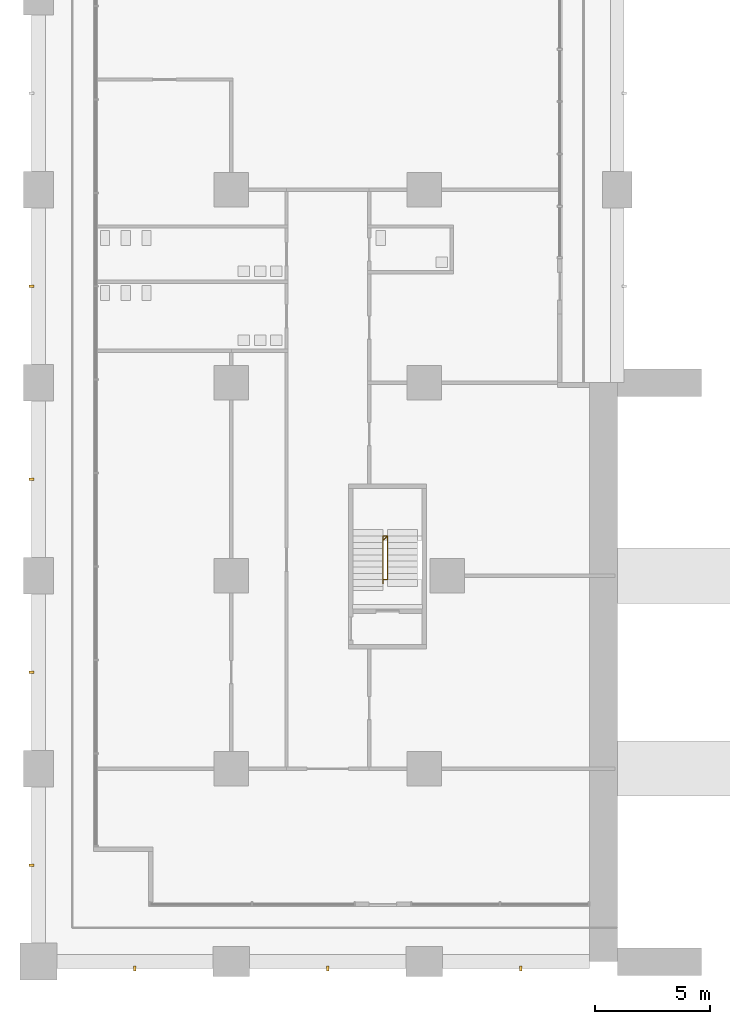
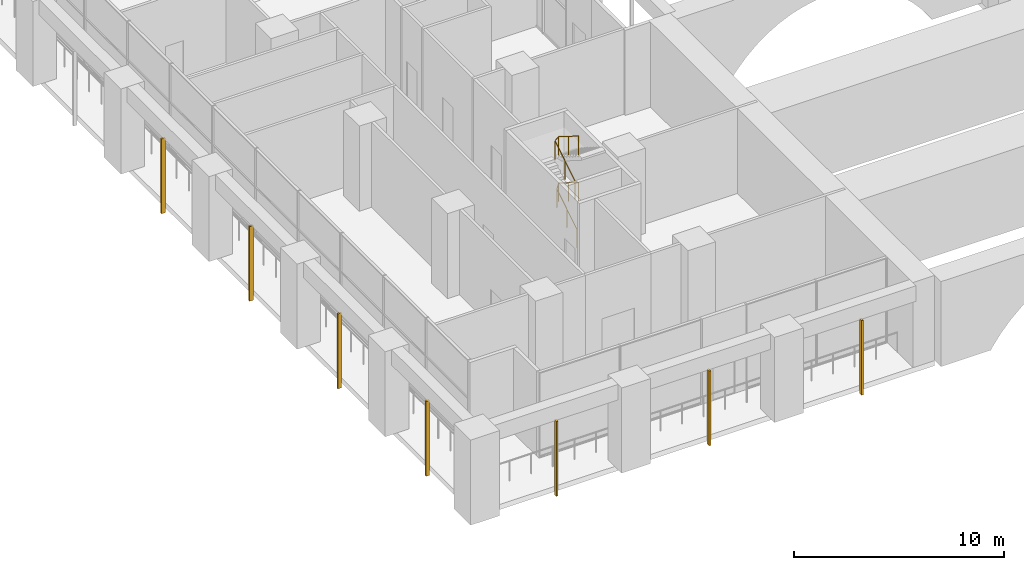
# One storey, part 19 of 26: 7 shading devices, 1 railing.
"""IFC4 building model written with IfcOpenShell, lengths in metres."""

from ifc_helpers import new_model, si_unit, direction, frame, origin, origin_2d, place, context, subcontext, project, spatial, rectangle, circle, extrude, material, material_profile, profile_set, type_object, element, save


model = new_model("IFC4")

# Units and contexts
model_context = context("Model", 3, precision=1e-05, world=origin(), true_north=direction((0.0, 1.0)))
body_context = subcontext(model_context, "Body", "Model", "MODEL_VIEW")
ifc_project = project(units=[si_unit("LENGTHUNIT", "METRE"), si_unit("AREAUNIT", "SQUARE_METRE"), si_unit("VOLUMEUNIT", "CUBIC_METRE"), si_unit("PLANEANGLEUNIT", "RADIAN"), si_unit("MASSUNIT", "GRAM", prefix="KILO")], contexts=[model_context])

# Site, building, storey
site_placement = place(None, origin())
site = spatial("IfcSite", under=ifc_project, at=site_placement, CompositionType="ELEMENT")
building_placement = place(site_placement, origin())
building = spatial("IfcBuilding", under=site, at=building_placement, Name="Vermilion Gate Residences", CompositionType="ELEMENT")
storey_placement = place(building_placement, frame((0.0, 0.0, 9.0)))
storey = spatial("IfcBuildingStorey", under=building, at=storey_placement, Name="L01", CompositionType="ELEMENT", Elevation=9.0)

# Railing
ifc_material_1 = material(Name="Steel S355", Category="steel")
railing_type = type_object("IfcRailingType", Name="STAIR GUARD 1100 STEEL", PredefinedType="GUARDRAIL", material=ifc_material_1)
railing_placement = place(storey_placement, frame((15.0, 16.449951171875, 0.168701171875)))
element("IfcRailing", 1, at=railing_placement, inside=storey, type_object=railing_type, Name="Stair well guard STC1-01", PredefinedType="GUARDRAIL", context=body_context, shape_type="SweptSolid", body=[
    extrude(circle(Radius=0.02392578125, at=origin_2d()), frame((0.0, 0.0, 1.076171875), z_axis=(0.0, 0.847985996966, 0.530018630757), x_axis=(-1.0, 0.0, 0.0)), (0.0, 0.0, 1.0), 2.22900390625),
    extrude(circle(Radius=0.02392578125, at=origin_2d()), frame((0.0, 1.89013671875, 2.25732421875), z_axis=(0.629737167528, 0.566686559791, 0.531316706669), x_axis=(-0.66891458545, 0.743339274741, 0.0)), (0.0, 0.0, 1.0), 0.317626953125),
    extrude(circle(Radius=0.02392578125, at=origin_2d()), frame((0.199951171875, 2.070068359375, 2.42626953125), z_axis=(0.0, -0.848035224522, 0.529939862598), x_axis=(1.0, 0.0, 0.0)), (0.0, 0.0, 1.0), 2.228759765625),
    extrude(circle(Radius=0.02392578125, at=origin_2d()), frame((0.199951171875, 0.179931640625, 3.607421875), z_axis=(-0.764305856904, 0.0, 0.644853903688), x_axis=(0.0, -1.0, 0.0)), (0.0, 0.0, 1.0), 0.26171875),
    extrude(circle(Radius=0.02392578125, at=origin_2d()), frame((0.0, 0.179931640625, 3.77587890625), z_axis=(0.0, 0.847985996966, 0.530018630757), x_axis=(-1.0, 0.0, 0.0)), (0.0, 0.0, 1.0), 2.22900390625),
    extrude(circle(Radius=0.02392578125, at=origin_2d()), frame((0.0, 2.070068359375, 4.95751953125), z_axis=(0.764305856904, 0.0, 0.644853903688), x_axis=(0.0, 1.0, 0.0)), (0.0, 0.0, 1.0), 0.26171875),
    extrude(circle(Radius=0.02392578125, at=origin_2d()), frame((0.199951171875, 2.070068359375, 5.1259765625), z_axis=(0.0, -0.848035224522, 0.529939862598), x_axis=(1.0, 0.0, 0.0)), (0.0, 0.0, 1.0), 2.228759765625),
    extrude(circle(Radius=0.02099609375, at=origin_2d()), origin(), (0.0, 0.0, 1.0), 1.052001953125),
    extrude(circle(Radius=0.02099609375, at=origin_2d()), frame((0.0, 0.945068359375, 0.5908203125)), (0.0, 0.0, 1.0), 1.052001953125),
    extrude(circle(Radius=0.02099609375, at=origin_2d()), frame((0.0, 1.89013671875, 1.181396484375)), (0.0, 0.0, 1.0), 1.052001953125),
    extrude(circle(Radius=0.02099609375, at=origin_2d()), frame((0.199951171875, 2.070068359375, 1.35009765625)), (0.0, 0.0, 1.0), 1.052001953125),
    extrude(circle(Radius=0.02099609375, at=origin_2d()), frame((0.199951171875, 1.125, 1.940673828125)), (0.0, 0.0, 1.0), 1.052001953125),
    extrude(circle(Radius=0.02099609375, at=origin_2d()), frame((0.199951171875, 0.179931640625, 2.53125)), (0.0, 0.0, 1.0), 1.052001953125),
    extrude(circle(Radius=0.02099609375, at=origin_2d()), frame((0.0, 0.179931640625, 2.699951171875)), (0.0, 0.0, 1.0), 1.052001953125),
    extrude(circle(Radius=0.02099609375, at=origin_2d()), frame((0.0, 1.125, 3.29052734375)), (0.0, 0.0, 1.0), 1.052001953125),
    extrude(circle(Radius=0.02099609375, at=origin_2d()), frame((0.0, 2.070068359375, 3.88134765625)), (0.0, 0.0, 1.0), 1.052001953125),
    extrude(circle(Radius=0.02099609375, at=origin_2d()), frame((0.199951171875, 2.070068359375, 4.050048828125)), (0.0, 0.0, 1.0), 1.052001953125),
    extrude(circle(Radius=0.02099609375, at=origin_2d()), frame((0.199951171875, 1.125, 4.640625)), (0.0, 0.0, 1.0), 1.052001953125),
    extrude(circle(Radius=0.02099609375, at=origin_2d()), frame((0.199951171875, 0.179931640625, 5.231201171875)), (0.0, 0.0, 1.0), 1.052001953125),
])

# Shading devices
ifc_material_2 = material(Name="Extruded terracotta", Category="masonry")
ifc_material_profile = material_profile(ifc_material_2, rectangle(XDim=0.199951171875, YDim=0.10009765625, at=origin_2d()), Name="BAGUETTE 100 X 200")
ifc_profile_set = profile_set([ifc_material_profile], Name="Extruded terracotta")
shading_device_type = type_object("IfcShadingDeviceType", Name="TERRACOTTA BAGUETTE 100 X 200", PredefinedType="JALOUSIE", material=ifc_profile_set)
for number, where, z_axis, x_axis, name in (
    (2, (4.199951171875, -0.300048828125, -0.300048828125), (0.0, 0.0, 1.0), (0.0, 1.0, 0.0), "BAGUETTE"),
    (3, (12.60009765625, -0.300048828125, -0.300048828125), (0.0, 0.0, 1.0), (0.0, 1.0, 0.0), "BAGUETTE"),
    (4, (21.0, -0.300048828125, -0.300048828125), (0.0, 0.0, 1.0), (0.0, 1.0, 0.0), "BAGUETTE"),
    (5, (-0.300048828125, 4.199951171875, -0.300048828125), (0.0, 0.0, 1.0), (1.0, 0.0, 0.0), "BAGUETTE"),
    (6, (-0.300048828125, 12.60009765625, -0.300048828125), (0.0, 0.0, 1.0), (1.0, 0.0, 0.0), "BAGUETTE"),
    (7, (-0.300048828125, 21.0, -0.300048828125), (0.0, 0.0, 1.0), (1.0, 0.0, 0.0), "BAGUETTE"),
    (8, (-0.300048828125, 29.39990234375, -0.300048828125), (0.0, 0.0, 1.0), (1.0, 0.0, 0.0), "BAGUETTE"),
):
    element("IfcShadingDevice", number, at=place(storey_placement, frame(where, z_axis=z_axis, x_axis=x_axis)), inside=storey, type_object=shading_device_type, Name=name, PredefinedType="JALOUSIE", context=body_context, shape_type="SweptSolid", body=[
        extrude(rectangle(XDim=0.199951171875, YDim=0.10009765625, at=origin_2d()), origin(), (0.0, 0.0, 1.0), 4.35009765625),
    ])

save(model, "model.ifc")
